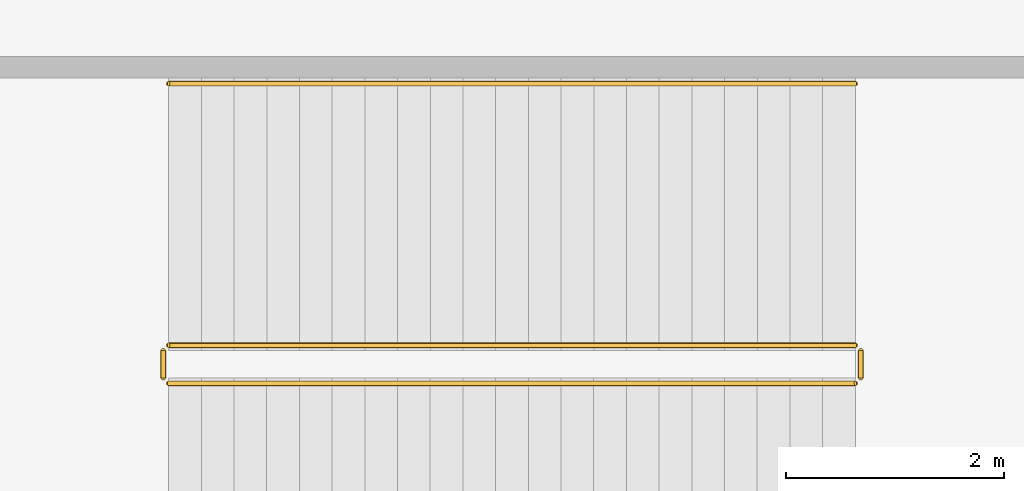
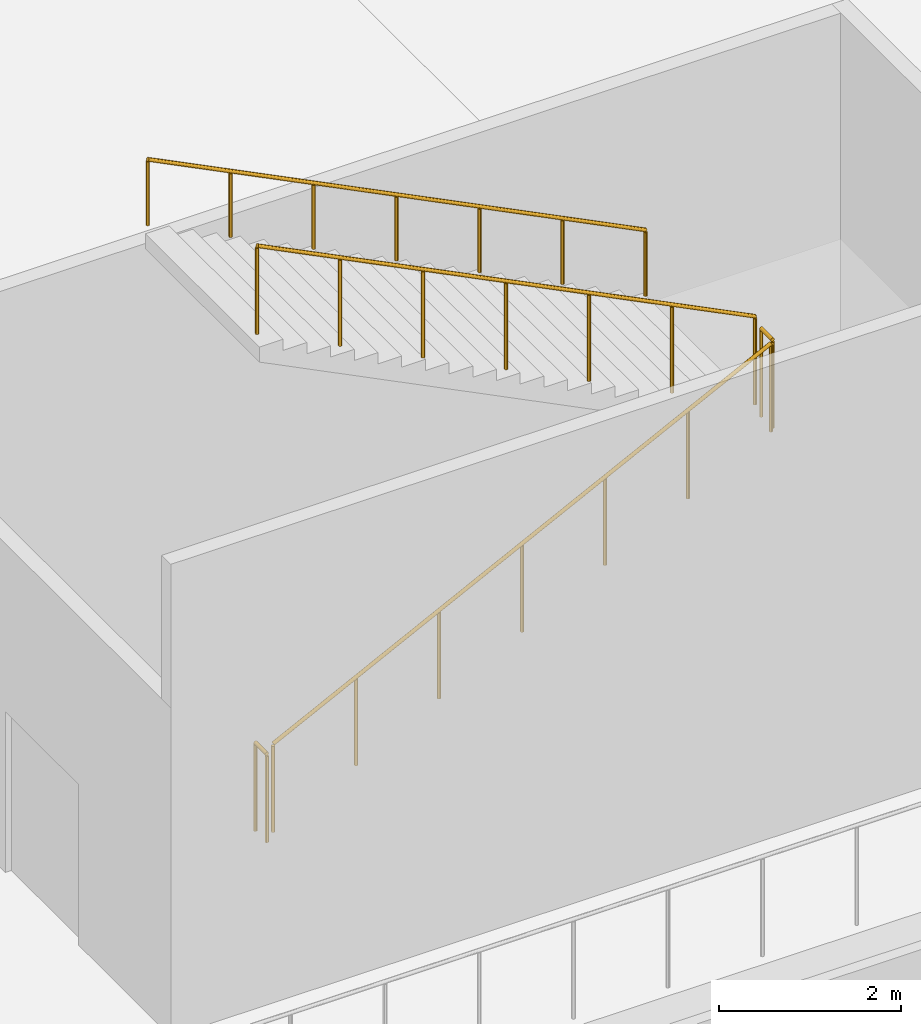
# One storey, part 51 of 65: 5 railings.
"""IFC4 building model written with IfcOpenShell, lengths in metres."""

from ifc_helpers import new_model, si_unit, direction, frame, origin, origin_2d, place, context, subcontext, project, spatial, circle, extrude, material, type_object, element, save


model = new_model("IFC4")

# Units and contexts
model_context = context("Model", 3, precision=1e-05, world=origin(), true_north=direction((0.0, 1.0)))
body_context = subcontext(model_context, "Body", "Model", "MODEL_VIEW")
ifc_project = project(units=[si_unit("LENGTHUNIT", "METRE"), si_unit("AREAUNIT", "SQUARE_METRE"), si_unit("VOLUMEUNIT", "CUBIC_METRE"), si_unit("PLANEANGLEUNIT", "RADIAN"), si_unit("MASSUNIT", "GRAM", prefix="KILO")], contexts=[model_context])

# Site, building, storey
site_placement = place(None, origin())
site = spatial("IfcSite", under=ifc_project, at=site_placement, CompositionType="ELEMENT")
building_placement = place(site_placement, origin())
building = spatial("IfcBuilding", under=site, at=building_placement, Name="Chuanluo Vaults Station", CompositionType="ELEMENT")
storey_placement = place(building_placement, origin())
storey = spatial("IfcBuildingStorey", under=building, at=storey_placement, Name="L00", CompositionType="ELEMENT", Elevation=0.0)

# Railings
ifc_material_1 = material(Name="Tempered laminated balustrade glass", Category="glass")
railing_type_1 = type_object("IfcRailingType", Name="RLG-GUARD-1200", PredefinedType="BALUSTRADE", material=ifc_material_1)
railing_1_placement = place(storey_placement, frame((98.25, 71.199951171875, 0.14990234375)))
element("IfcRailing", 1, at=railing_1_placement, inside=storey, type_object=railing_type_1, Name="L00 ST-12 stair guard 1", PredefinedType="BALUSTRADE", context=body_context, shape_type="SweptSolid", body=[
    extrude(circle(Radius=0.02392578125, at=origin_2d()), frame((0.0, 0.0, 1.17578125), z_axis=(0.894420258746, 0.0, 0.44722745974), x_axis=(0.0, 1.0, 0.0)), (0.0, 0.0, 1.0), 7.043701171875),
    extrude(circle(Radius=0.02099609375, at=origin_2d()), origin(), (0.0, 0.0, 1.0), 1.15185546875),
    extrude(circle(Radius=0.02099609375, at=origin_2d()), frame((1.050048828125, 0.0, 0.52490234375)), (0.0, 0.0, 1.0), 1.15185546875),
    extrude(circle(Radius=0.02099609375, at=origin_2d()), frame((2.10009765625, 0.0, 1.050048828125)), (0.0, 0.0, 1.0), 1.15185546875),
    extrude(circle(Radius=0.02099609375, at=origin_2d()), frame((3.14990234375, 0.0, 1.5751953125)), (0.0, 0.0, 1.0), 1.15185546875),
    extrude(circle(Radius=0.02099609375, at=origin_2d()), frame((4.199951171875, 0.0, 2.10009765625)), (0.0, 0.0, 1.0), 1.15185546875),
    extrude(circle(Radius=0.02099609375, at=origin_2d()), frame((5.25, 0.0, 2.625)), (0.0, 0.0, 1.0), 1.15185546875),
    extrude(circle(Radius=0.02099609375, at=origin_2d()), frame((6.300048828125, 0.0, 3.150146484375)), (0.0, 0.0, 1.0), 1.15185546875),
])
railing_2_placement = place(storey_placement, frame((104.60009765625, 71.25, 3.300048828125)))
element("IfcRailing", 2, at=railing_2_placement, inside=storey, type_object=railing_type_1, Name="L00 ST-12 stair guard 2", PredefinedType="BALUSTRADE", context=body_context, shape_type="SweptSolid", body=[
    extrude(circle(Radius=0.02392578125, at=origin_2d()), frame((0.0, 0.0, 1.17578125), z_axis=(0.0, 1.0, 0.0), x_axis=(-1.0, 0.0, 0.0)), (0.0, 0.0, 1.0), 0.25),
    extrude(circle(Radius=0.02099609375, at=origin_2d()), origin(), (0.0, 0.0, 1.0), 1.15185546875),
    extrude(circle(Radius=0.02099609375, at=origin_2d()), frame((0.0, 0.25, 0.0)), (0.0, 0.0, 1.0), 1.15185546875),
])
railing_3_placement = place(storey_placement, frame((104.550048828125, 71.550048828125, 3.449951171875)))
element("IfcRailing", 3, at=railing_3_placement, inside=storey, type_object=railing_type_1, Name="L00 ST-12 stair guard 3", PredefinedType="BALUSTRADE", context=body_context, shape_type="SweptSolid", body=[
    extrude(circle(Radius=0.02392578125, at=origin_2d()), frame((0.0, 0.0, 1.17578125), z_axis=(-0.894420258746, 0.0, 0.44722745974), x_axis=(0.0, -1.0, 0.0)), (0.0, 0.0, 1.0), 7.043701171875),
    extrude(circle(Radius=0.02099609375, at=origin_2d()), origin(), (0.0, 0.0, 1.0), 1.15185546875),
    extrude(circle(Radius=0.02099609375, at=origin_2d()), frame((-1.050048828125, 0.0, 0.52490234375)), (0.0, 0.0, 1.0), 1.15185546875),
    extrude(circle(Radius=0.02099609375, at=origin_2d()), frame((-2.10009765625, 0.0, 1.050048828125)), (0.0, 0.0, 1.0), 1.15185546875),
    extrude(circle(Radius=0.02099609375, at=origin_2d()), frame((-3.14990234375, 0.0, 1.5751953125)), (0.0, 0.0, 1.0), 1.15185546875),
    extrude(circle(Radius=0.02099609375, at=origin_2d()), frame((-4.199951171875, 0.0, 2.10009765625)), (0.0, 0.0, 1.0), 1.15185546875),
    extrude(circle(Radius=0.02099609375, at=origin_2d()), frame((-5.25, 0.0, 2.625)), (0.0, 0.0, 1.0), 1.15185546875),
    extrude(circle(Radius=0.02099609375, at=origin_2d()), frame((-6.300048828125, 0.0, 3.150146484375)), (0.0, 0.0, 1.0), 1.15185546875),
])
railing_4_placement = place(storey_placement, frame((98.199951171875, 71.25, 0.0)))
element("IfcRailing", 4, at=railing_4_placement, inside=storey, type_object=railing_type_1, Name="L00 ST-12 stair guard 4", PredefinedType="BALUSTRADE", context=body_context, shape_type="SweptSolid", body=[
    extrude(circle(Radius=0.02392578125, at=origin_2d()), frame((0.0, 0.0, 1.17578125), z_axis=(0.0, 1.0, 0.0), x_axis=(-1.0, 0.0, 0.0)), (0.0, 0.0, 1.0), 0.25),
    extrude(circle(Radius=0.02099609375, at=origin_2d()), origin(), (0.0, 0.0, 1.0), 1.15185546875),
    extrude(circle(Radius=0.02099609375, at=origin_2d()), frame((0.0, 0.25, 0.0)), (0.0, 0.0, 1.0), 1.15185546875),
])
ifc_material_2 = material(Name="Brushed stainless steel 304", Category="steel")
railing_type_2 = type_object("IfcRailingType", Name="RLG-HAND-900", PredefinedType="HANDRAIL", material=ifc_material_2)
railing_5_placement = place(storey_placement, frame((104.550048828125, 73.949951171875, 3.449951171875)))
element("IfcRailing", 5, at=railing_5_placement, inside=storey, type_object=railing_type_2, Name="L00 ST-12 stair handrail 2", PredefinedType="HANDRAIL", context=body_context, shape_type="SweptSolid", body=[
    extrude(circle(Radius=0.02392578125, at=origin_2d()), frame((0.0, 0.0, 0.8759765625), z_axis=(-0.894420258746, 0.0, 0.44722745974), x_axis=(0.0, -1.0, 0.0)), (0.0, 0.0, 1.0), 7.043701171875),
    extrude(circle(Radius=0.02099609375, at=origin_2d()), origin(), (0.0, 0.0, 1.0), 0.851806640625),
    extrude(circle(Radius=0.02099609375, at=origin_2d()), frame((-1.050048828125, 0.0, 0.52490234375)), (0.0, 0.0, 1.0), 0.851806640625),
    extrude(circle(Radius=0.02099609375, at=origin_2d()), frame((-2.10009765625, 0.0, 1.050048828125)), (0.0, 0.0, 1.0), 0.851806640625),
    extrude(circle(Radius=0.02099609375, at=origin_2d()), frame((-3.14990234375, 0.0, 1.5751953125)), (0.0, 0.0, 1.0), 0.851806640625),
    extrude(circle(Radius=0.02099609375, at=origin_2d()), frame((-4.199951171875, 0.0, 2.10009765625)), (0.0, 0.0, 1.0), 0.851806640625),
    extrude(circle(Radius=0.02099609375, at=origin_2d()), frame((-5.25, 0.0, 2.625)), (0.0, 0.0, 1.0), 0.851806640625),
    extrude(circle(Radius=0.02099609375, at=origin_2d()), frame((-6.300048828125, 0.0, 3.150146484375)), (0.0, 0.0, 1.0), 0.851806640625),
])

save(model, "model.ifc")
